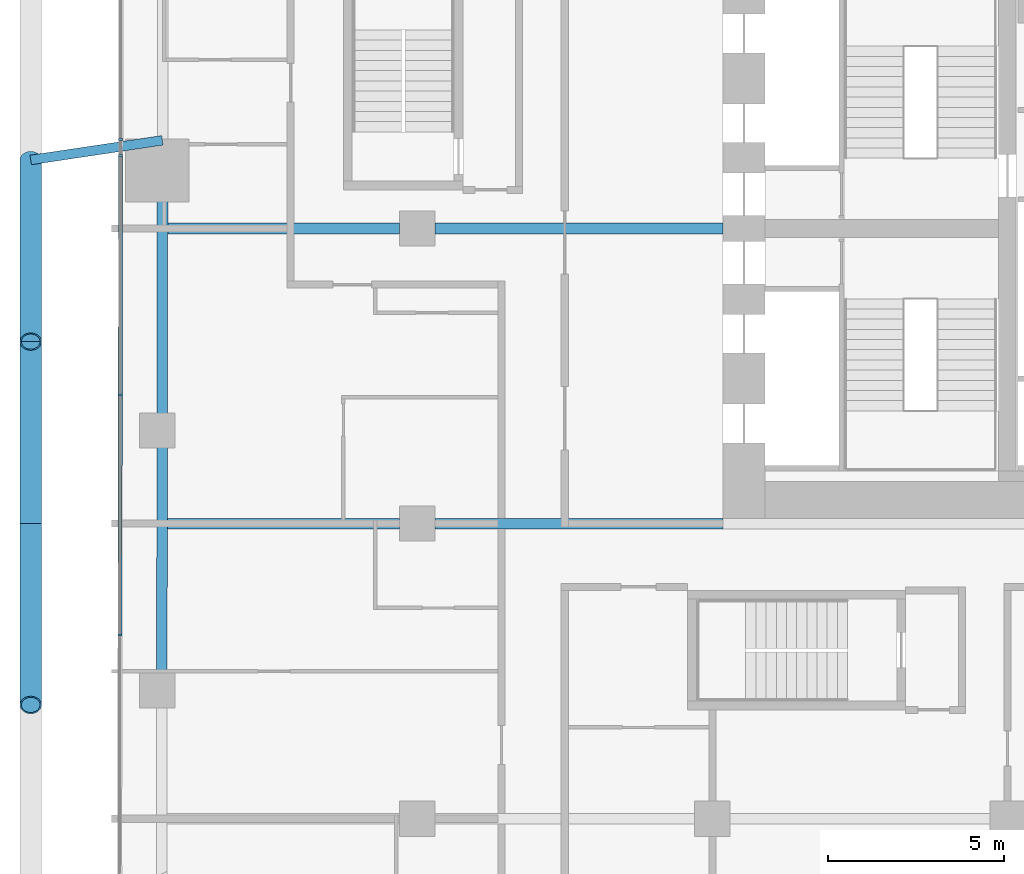
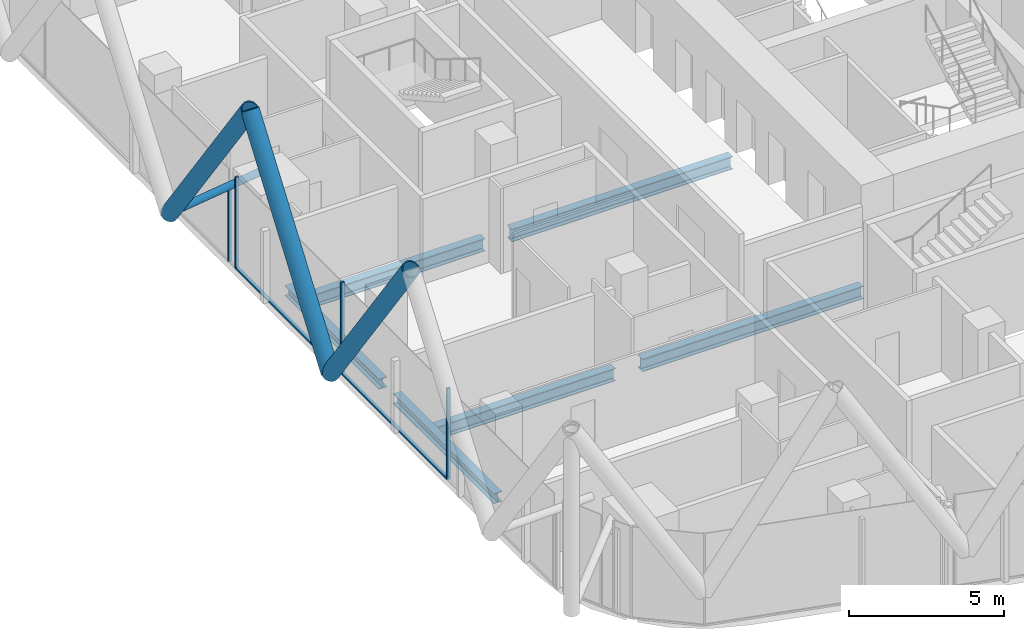
# One storey, part 4 of 38: 10 members, 6 beams, 2 elements without a shape of their own.
"""IFC4 building model written with IfcOpenShell, lengths in metres."""

from ifc_helpers import new_model, si_unit, direction, frame, origin, origin_2d, place, context, subcontext, project, spatial, rectangle, hollow_circle, i_section, extrude, material, layer, layer_set, material_profile, profile_set, type_object, element, aggregate, save


model = new_model("IFC4")

# Units and contexts
model_context = context("Model", 3, precision=1e-05, world=origin(), true_north=direction((0.0, 1.0)))
body_context = subcontext(model_context, "Body", "Model", "MODEL_VIEW")
ifc_project = project(units=[si_unit("LENGTHUNIT", "METRE"), si_unit("AREAUNIT", "SQUARE_METRE"), si_unit("VOLUMEUNIT", "CUBIC_METRE"), si_unit("PLANEANGLEUNIT", "RADIAN"), si_unit("MASSUNIT", "GRAM", prefix="KILO")], contexts=[model_context])

# Site, building, storey
site_placement = place(None, origin())
site = spatial("IfcSite", under=ifc_project, at=site_placement, CompositionType="ELEMENT")
building_placement = place(site_placement, origin())
building = spatial("IfcBuilding", under=site, at=building_placement, Name="Marenta Gate Hotel Tower", CompositionType="ELEMENT")
storey_placement = place(building_placement, frame((0.0, 0.0, 68.89990234375)))
storey = spatial("IfcBuildingStorey", under=building, at=storey_placement, Name="L15", CompositionType="ELEMENT", Elevation=68.89990234375)

# Members
ifc_material_1 = material(Name="Steel S355J2W", Category="steel")
ifc_material_profile_1 = material_profile(ifc_material_1, hollow_circle(Radius=0.304931640625, WallThickness=0.0400390625, at=origin_2d()), Name="CHS 610x40")
ifc_profile_set_1 = profile_set([ifc_material_profile_1], Name="Steel S355J2W")
member_type_1 = type_object("IfcMemberType", Name="Diagrid diagonal Z1 CHS 610x40", PredefinedType="BRACE", material=ifc_profile_set_1)
member_1_placement = place(storey_placement, frame((-32.0, 0.010009765625, 3.14013671875), z_axis=(0.0, -0.583279014058, 0.812271870595), x_axis=(1.0, 0.0, 0.0)))
element("IfcMember", 1, at=member_1_placement, inside=storey, type_object=member_type_1, Name="L15-DG-27", PredefinedType="BRACE", context=body_context, shape_type="SweptSolid", body=[
    extrude(hollow_circle(Radius=0.304931640625, WallThickness=0.0400390625, at=origin_2d()), origin(), (0.0, 0.0, 1.0), 8.864013671875),
])
for number, where, z_axis, x_axis, name in (
    (2, (-32.0, 0.010009765625, 3.14013671875), (0.0, 0.583260841117, 0.812284919975), (-1.0, 0.0, 0.0), "L15-DG-28"),
    (3, (-32.0, 10.349853515625, 3.14013671875), (0.0, -0.583260841117, 0.812284919975), (1.0, 0.0, 0.0), "L15-DG-29"),
):
    element("IfcMember", number, at=place(storey_placement, frame(where, z_axis=z_axis, x_axis=x_axis)), inside=storey, type_object=member_type_1, Name=name, PredefinedType="BRACE", context=body_context, shape_type="SweptSolid", body=[
        extrude(hollow_circle(Radius=0.304931640625, WallThickness=0.0400390625, at=origin_2d()), origin(), (0.0, 0.0, 1.0), 8.86376953125),
    ])

# Beams
ifc_material_2 = material(Name="Steel S355", Category="steel")
ifc_material_profile_2 = material_profile(ifc_material_2, i_section(OverallWidth=0.300048828125, OverallDepth=0.39990234375, WebThickness=0.013427734375, FlangeThickness=0.02392578125, FilletRadius=0.027099609375, at=origin_2d()), Name="HEB 400")
ifc_profile_set_2 = profile_set([ifc_material_profile_2], Name="Steel S355")
beam_type_1 = type_object("IfcBeamType", Name="Edge beam HEB 400", PredefinedType="SPANDREL", material=ifc_profile_set_2)
beam_1_placement = place(storey_placement, frame((-28.267333984375, -4.2919921875, -0.4599609375), z_axis=(0.001393753119, 0.999999028726, 0.0), x_axis=(-0.999999028726, 0.001393753119, 0.0)))
element("IfcBeam", 4, at=beam_1_placement, inside=storey, type_object=beam_type_1, Name="L15-EB-6", PredefinedType="SPANDREL", context=body_context, shape_type="SweptSolid", body=[
    extrude(i_section(OverallWidth=0.300048828125, OverallDepth=0.39990234375, WebThickness=0.013427734375, FlangeThickness=0.02392578125, FilletRadius=0.027099609375, at=origin_2d()), origin(), (0.0, 0.0, 1.0), 6.481201171875),
])
beam_2_placement = place(storey_placement, frame((-28.257080078125, 3.109130859375, -0.4599609375), z_axis=(0.001405226059, 0.999999012669, 0.0), x_axis=(-0.999999012669, 0.001405226059, 0.0)))
element("IfcBeam", 5, at=beam_2_placement, inside=storey, type_object=beam_type_1, Name="L15-EB-7", PredefinedType="SPANDREL", context=body_context, shape_type="SweptSolid", body=[
    extrude(i_section(OverallWidth=0.300048828125, OverallDepth=0.39990234375, WebThickness=0.013427734375, FlangeThickness=0.02392578125, FilletRadius=0.027099609375, at=origin_2d()), origin(), (0.0, 0.0, 1.0), 6.080810546875),
])

# Member
ifc_material_3 = material(Name="Steel S355J2W", Category="steel")
ifc_material_profile_3 = material_profile(ifc_material_3, hollow_circle(Radius=0.136474609375, WallThickness=0.012451171875, at=origin_2d()), Name="CHS 273x12.5")
ifc_profile_set_3 = profile_set([ifc_material_profile_3], Name="Steel S355J2W")
member_type_2 = type_object("IfcMemberType", Name="Floor tie CHS 273x12.5", PredefinedType="STRUT", material=ifc_profile_set_3)
member_2_placement = place(storey_placement, frame((-32.0, 10.349853515625, 3.14013671875), z_axis=(0.989051387298, 0.147571519215, 0.0), x_axis=(-0.147571519215, 0.989051387298, 0.0)))
element("IfcMember", 6, at=member_2_placement, inside=storey, type_object=member_type_2, Name="L15-DR-20", PredefinedType="STRUT", context=body_context, shape_type="SweptSolid", body=[
    extrude(hollow_circle(Radius=0.136474609375, WallThickness=0.012451171875, at=origin_2d()), origin(), (0.0, 0.0, 1.0), 3.78857421875),
])

# Beams
ifc_material_4 = material(Name="Steel S355", Category="steel")
ifc_material_profile_4 = material_profile(ifc_material_4, i_section(OverallWidth=0.300048828125, OverallDepth=0.5, WebThickness=0.014404296875, FlangeThickness=0.028076171875, FilletRadius=0.027099609375, at=origin_2d()), Name="HEB 500")
ifc_profile_set_4 = profile_set([ifc_material_profile_4], Name="Steel S355")
beam_type_2 = type_object("IfcBeamType", Name="Girder HEB 500", PredefinedType="BEAM", material=ifc_profile_set_4)
beam_3_placement = place(storey_placement, frame((-28.111328125, 0.0, -0.510009765625), z_axis=(1.0, 0.0, 0.0), x_axis=(0.0, 1.0, 0.0)))
element("IfcBeam", 7, at=beam_3_placement, inside=storey, type_object=beam_type_2, Name="L15-GD-8", PredefinedType="BEAM", context=body_context, shape_type="SweptSolid", body=[
    extrude(i_section(OverallWidth=0.300048828125, OverallDepth=0.5, WebThickness=0.014404296875, FlangeThickness=0.028076171875, FilletRadius=0.027099609375, at=origin_2d()), origin(), (0.0, 0.0, 1.0), 6.611328125),
])
beam_4_placement = place(storey_placement, frame((-20.5, 0.0, -0.510009765625), z_axis=(1.0, 0.0, 0.0), x_axis=(0.0, 1.0, 0.0)))
element("IfcBeam", 8, at=beam_4_placement, inside=storey, type_object=beam_type_2, Name="L15-GD-9", PredefinedType="BEAM", context=body_context, shape_type="SweptSolid", body=[
    extrude(i_section(OverallWidth=0.300048828125, OverallDepth=0.5, WebThickness=0.014404296875, FlangeThickness=0.028076171875, FilletRadius=0.027099609375, at=origin_2d()), origin(), (0.0, 0.0, 1.0), 8.199951171875),
])
beam_5_placement = place(storey_placement, frame((-28.099609375, 8.39990234375, -0.510009765625), z_axis=(1.0, 0.0, 0.0), x_axis=(0.0, 1.0, 0.0)))
element("IfcBeam", 9, at=beam_5_placement, inside=storey, type_object=beam_type_2, Name="L15-GD-13", PredefinedType="BEAM", context=body_context, shape_type="SweptSolid", body=[
    extrude(i_section(OverallWidth=0.300048828125, OverallDepth=0.5, WebThickness=0.014404296875, FlangeThickness=0.028076171875, FilletRadius=0.027099609375, at=origin_2d()), origin(), (0.0, 0.0, 1.0), 6.599609375),
])
beam_6_placement = place(storey_placement, frame((-20.5, 8.39990234375, -0.510009765625), z_axis=(1.0, 0.0, 0.0), x_axis=(0.0, 1.0, 0.0)))
element("IfcBeam", 10, at=beam_6_placement, inside=storey, type_object=beam_type_2, Name="L15-GD-14", PredefinedType="BEAM", context=body_context, shape_type="SweptSolid", body=[
    extrude(i_section(OverallWidth=0.300048828125, OverallDepth=0.5, WebThickness=0.014404296875, FlangeThickness=0.028076171875, FilletRadius=0.027099609375, at=origin_2d()), origin(), (0.0, 0.0, 1.0), 8.199951171875),
])

# Curtain wall, member
ifc_material_5 = material(Name="Tinted insulated glass in bronze anodised frame", Category="glass")
ifc_layer = layer(ifc_material_5, 0.1201171875)
ifc_layer_set = layer_set([ifc_layer], Name="Tinted insulated glass in bronze anodised frame")
curtain_wall_type = type_object("IfcCurtainWallType", Name="Tower unitised curtain wall CW1", PredefinedType="NOTDEFINED", material=ifc_layer_set)
curtain_wall_1_placement = place(storey_placement, origin())
curtain_wall_1 = element("IfcCurtainWall", 11, at=curtain_wall_1_placement, inside=storey, type_object=curtain_wall_type, Name="CW1 run G07", PredefinedType="NOTDEFINED")
ifc_material_6 = material(Name="Bronze anodised aluminium", Category="aluminium")
ifc_material_profile_5 = material_profile(ifc_material_6, rectangle(XDim=0.1201171875, YDim=0.06005859375, at=origin_2d()), Name="Mullion CW1 60x120 bronze anodised aluminium")
ifc_profile_set_5 = profile_set([ifc_material_profile_5], Name="Bronze anodised aluminium")
member_type_3 = type_object("IfcMemberType", Name="Mullion CW1 60x120 bronze anodised aluminium", PredefinedType="MULLION", material=ifc_profile_set_5)
member_3_placement = place(storey_placement, frame((-29.440185546875, 10.930908203125, 0.0), z_axis=(0.0, 0.0, 1.0), x_axis=(0.999998832533, -0.001528048866, 0.0)))
member_3 = element("IfcMember", 12, at=member_3_placement, type_object=member_type_3, Name="CW1 mullion 1", PredefinedType="MULLION", context=body_context, shape_type="SweptSolid", body=[
    extrude(rectangle(XDim=0.1201171875, YDim=0.06005859375, at=origin_2d()), origin(), (0.0, 0.0, 1.0), 3.00048828125),
])
aggregate(curtain_wall_1, [member_3])

# Curtain wall, members
curtain_wall_2_placement = place(storey_placement, origin())
curtain_wall_2 = element("IfcCurtainWall", 13, at=curtain_wall_2_placement, inside=storey, type_object=curtain_wall_type, Name="CW1 run G08", PredefinedType="NOTDEFINED")
member_4_placement = place(storey_placement, frame((-29.44091796875, 10.472900390625, 0.0), z_axis=(0.0, 0.0, 1.0), x_axis=(0.999998775989, -0.00156461532, 0.0)))
member_4 = element("IfcMember", 14, at=member_4_placement, type_object=member_type_3, Name="CW1 mullion 1", PredefinedType="MULLION", context=body_context, shape_type="SweptSolid", body=[
    extrude(rectangle(XDim=0.1201171875, YDim=0.06005859375, at=origin_2d()), origin(), (0.0, 0.0, 1.0), 3.60009765625),
])
member_5_placement = place(storey_placement, frame((-29.451416015625, 3.6640625, 0.0), z_axis=(0.0, 0.0, 1.0), x_axis=(0.999998775989, -0.00156461532, 0.0)))
member_5 = element("IfcMember", 15, at=member_5_placement, type_object=member_type_3, Name="CW1 mullion 2", PredefinedType="MULLION", context=body_context, shape_type="SweptSolid", body=[
    extrude(rectangle(XDim=0.1201171875, YDim=0.06005859375, at=origin_2d()), origin(), (0.0, 0.0, 1.0), 3.60009765625),
])
member_6_placement = place(storey_placement, frame((-29.462158203125, -3.174560546875, 0.0), z_axis=(0.0, 0.0, 1.0), x_axis=(0.999998775989, -0.00156461532, 0.0)))
member_6 = element("IfcMember", 16, at=member_6_placement, type_object=member_type_3, Name="CW1 mullion 3", PredefinedType="MULLION", context=body_context, shape_type="SweptSolid", body=[
    extrude(rectangle(XDim=0.1201171875, YDim=0.06005859375, at=origin_2d()), origin(), (0.0, 0.0, 1.0), 3.60009765625),
])
ifc_material_7 = material(Name="Bronze anodised aluminium", Category="aluminium")
ifc_material_profile_6 = material_profile(ifc_material_7, rectangle(XDim=0.1201171875, YDim=0.06005859375, at=origin_2d()), Name="Transom CW1 60x120 bronze anodised aluminium")
ifc_profile_set_6 = profile_set([ifc_material_profile_6], Name="Bronze anodised aluminium")
member_type_4 = type_object("IfcMemberType", Name="Transom CW1 60x120 bronze anodised aluminium", PredefinedType="USERDEFINED", material=ifc_profile_set_6)
member_7_placement = place(storey_placement, frame((-29.44091796875, 10.44287109375, 0.030029296875), z_axis=(-0.001555545635, -0.999998790138, 0.0), x_axis=(0.999998790138, -0.001555545635, 0.0)))
member_7 = element("IfcMember", 17, at=member_7_placement, type_object=member_type_4, Name="CW1 transom 1.1", ObjectType="TRANSOM", PredefinedType="USERDEFINED", context=body_context, shape_type="SweptSolid", body=[
    extrude(rectangle(XDim=0.1201171875, YDim=0.06005859375, at=origin_2d()), origin(), (0.0, 0.0, 1.0), 6.748779296875),
])
member_8_placement = place(storey_placement, frame((-29.45166015625, 3.634033203125, 0.030029296875), z_axis=(-0.001548654773, -0.999998800833, 0.0), x_axis=(0.999998800833, -0.001548654773, 0.0)))
member_8 = element("IfcMember", 18, at=member_8_placement, type_object=member_type_4, Name="CW1 transom 2.1", ObjectType="TRANSOM", PredefinedType="USERDEFINED", context=body_context, shape_type="SweptSolid", body=[
    extrude(rectangle(XDim=0.1201171875, YDim=0.06005859375, at=origin_2d()), origin(), (0.0, 0.0, 1.0), 6.77880859375),
])
aggregate(curtain_wall_2, [member_4, member_5, member_6, member_7, member_8])

save(model, "model.ifc")
